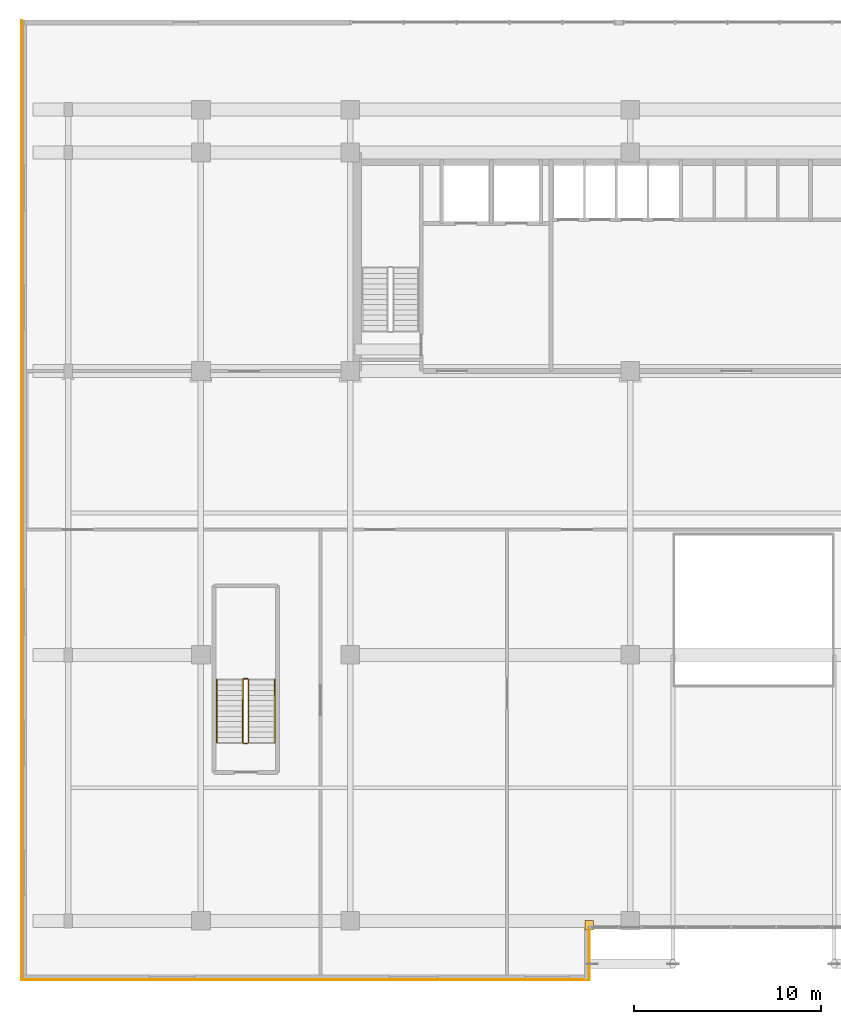
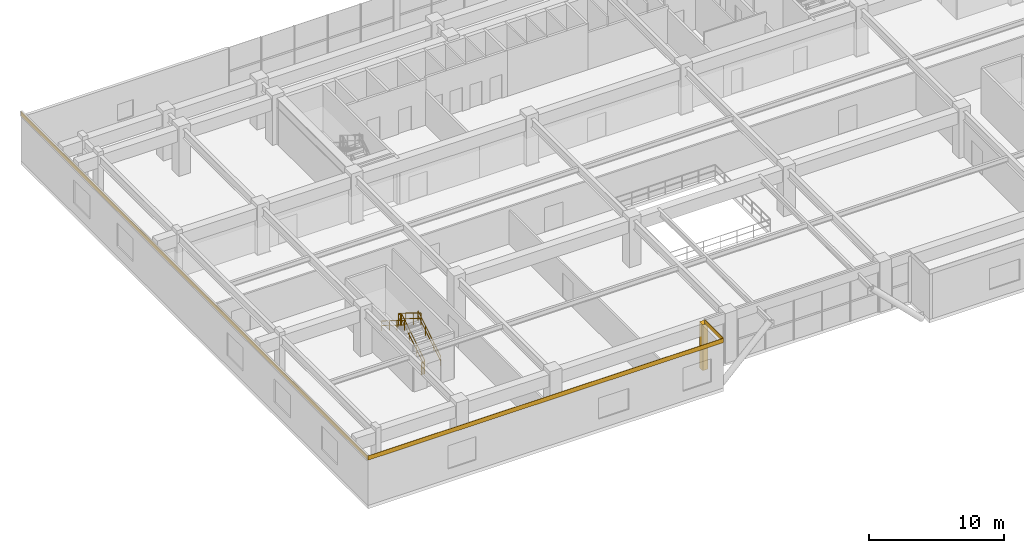
# One storey, part 17 of 21: 6 railings, 4 coverings.
"""IFC4 building model written with IfcOpenShell, lengths in metres."""

from ifc_helpers import new_model, si_unit, direction, frame, origin, origin_2d, place, context, subcontext, project, spatial, rectangle, extrude, source, transform, mapped, material, layer, layer_set, type_object, element, save


model = new_model("IFC4")

# Units and contexts
model_context = context("Model", 3, precision=1e-05, world=origin(), true_north=direction((0.0, 1.0)))
body_context = subcontext(model_context, "Body", "Model", "MODEL_VIEW")
ifc_project = project(units=[si_unit("LENGTHUNIT", "METRE"), si_unit("AREAUNIT", "SQUARE_METRE"), si_unit("VOLUMEUNIT", "CUBIC_METRE"), si_unit("PLANEANGLEUNIT", "RADIAN"), si_unit("MASSUNIT", "GRAM", prefix="KILO")], contexts=[model_context])

# Site, building, storey
site_placement = place(None, origin())
site = spatial("IfcSite", under=ifc_project, at=site_placement, CompositionType="ELEMENT")
building_placement = place(site_placement, origin())
building = spatial("IfcBuilding", under=site, at=building_placement, Name="Trelvane Seafront Commons", CompositionType="ELEMENT")
storey_placement = place(building_placement, frame((0.0, 0.0, 14.199951171875)))
storey = spatial("IfcBuildingStorey", under=building, at=storey_placement, Name="L03", CompositionType="ELEMENT", Elevation=14.199951171875)

# Railings
ifc_material_1 = material(Name="Stainless steel balustrade", Category="steel")
railing_type_1 = type_object("IfcRailingType", Name="ARCH-SRL-GUARD", PredefinedType="GUARDRAIL", material=ifc_material_1)
railing_1_placement = place(storey_placement, frame((10.14990234375, 13.5, 0.173095703125)))
element("IfcRailing", 1, at=railing_1_placement, inside=storey, type_object=railing_type_1, Name="L03 ST-3 stair guard 1", PredefinedType="GUARDRAIL", context=body_context, shape_type="SweptSolid", body=[
    extrude(rectangle(XDim=0.048095703125, YDim=0.048095703125, at=origin_2d()), frame((0.0, 0.0, 1.076171875), z_axis=(0.0, 0.850623216509, 0.525775754039), x_axis=(-1.0, 0.0, 0.0)), (0.0, 0.0, 1.0), 3.9501953125),
    extrude(rectangle(XDim=0.048095703125, YDim=0.048095703125, at=origin_2d()), frame((0.0, 0.0, 0.572021484375), z_axis=(0.0, 0.850623216509, 0.525775754039), x_axis=(-1.0, 0.0, 0.0)), (0.0, 0.0, 1.0), 3.9501953125),
    extrude(rectangle(XDim=0.0419921875, YDim=0.0419921875, at=origin_2d()), origin(), (0.0, 0.0, 1.0), 1.076171875),
    extrude(rectangle(XDim=0.0419921875, YDim=0.0419921875, at=origin_2d()), frame((0.0, 1.1201171875, 0.6923828125)), (0.0, 0.0, 1.0), 1.076171875),
    extrude(rectangle(XDim=0.0419921875, YDim=0.0419921875, at=origin_2d()), frame((0.0, 2.239990234375, 1.384521484375)), (0.0, 0.0, 1.0), 1.076171875),
    extrude(rectangle(XDim=0.0419921875, YDim=0.0419921875, at=origin_2d()), frame((0.0, 3.360107421875, 2.076904296875)), (0.0, 0.0, 1.0), 1.076171875),
])
railing_2_placement = place(storey_placement, frame((10.10009765625, 16.909912109375, 2.25)))
element("IfcRailing", 2, at=railing_2_placement, inside=storey, type_object=railing_type_1, Name="L03 ST-3 stair guard 2", PredefinedType="GUARDRAIL", context=body_context, shape_type="SweptSolid", body=[
    extrude(rectangle(XDim=0.048095703125, YDim=0.048095703125, at=origin_2d()), frame((0.0, 0.0, 1.076171875), z_axis=(-1.0, 0.0, 0.0), x_axis=(0.0, -1.0, 0.0)), (0.0, 0.0, 1.0), 0.2001953125),
    extrude(rectangle(XDim=0.048095703125, YDim=0.048095703125, at=origin_2d()), frame((0.0, 0.0, 0.572021484375), z_axis=(-1.0, 0.0, 0.0), x_axis=(0.0, -1.0, 0.0)), (0.0, 0.0, 1.0), 0.2001953125),
    extrude(rectangle(XDim=0.0419921875, YDim=0.0419921875, at=origin_2d()), origin(), (0.0, 0.0, 1.0), 1.076171875),
    extrude(rectangle(XDim=0.0419921875, YDim=0.0419921875, at=origin_2d()), frame((-0.2001953125, 0.0, 0.0)), (0.0, 0.0, 1.0), 1.076171875),
])
railing_3_placement = place(storey_placement, frame((9.85009765625, 16.860107421875, 2.423095703125)))
element("IfcRailing", 3, at=railing_3_placement, inside=storey, type_object=railing_type_1, Name="L03 ST-3 stair guard 3", PredefinedType="GUARDRAIL", context=body_context, shape_type="SweptSolid", body=[
    extrude(rectangle(XDim=0.048095703125, YDim=0.048095703125, at=origin_2d()), frame((0.0, 0.0, 1.076171875), z_axis=(0.0, -0.850623216509, 0.525775754039), x_axis=(1.0, 0.0, 0.0)), (0.0, 0.0, 1.0), 3.9501953125),
    extrude(rectangle(XDim=0.048095703125, YDim=0.048095703125, at=origin_2d()), frame((0.0, 0.0, 0.572021484375), z_axis=(0.0, -0.850623216509, 0.525775754039), x_axis=(1.0, 0.0, 0.0)), (0.0, 0.0, 1.0), 3.9501953125),
    extrude(rectangle(XDim=0.0419921875, YDim=0.0419921875, at=origin_2d()), origin(), (0.0, 0.0, 1.0), 1.076171875),
    extrude(rectangle(XDim=0.0419921875, YDim=0.0419921875, at=origin_2d()), frame((0.0, -1.1201171875, 0.6923828125)), (0.0, 0.0, 1.0), 1.076171875),
    extrude(rectangle(XDim=0.0419921875, YDim=0.0419921875, at=origin_2d()), frame((0.0, -2.239990234375, 1.384521484375)), (0.0, 0.0, 1.0), 1.076171875),
    extrude(rectangle(XDim=0.0419921875, YDim=0.0419921875, at=origin_2d()), frame((0.0, -3.360107421875, 2.076904296875)), (0.0, 0.0, 1.0), 1.076171875),
])
railing_4_placement = place(storey_placement, frame((10.10009765625, 13.449951171875, 0.0)))
element("IfcRailing", 4, at=railing_4_placement, inside=storey, type_object=railing_type_1, Name="L03 ST-3 stair guard 4", PredefinedType="GUARDRAIL", context=body_context, shape_type="SweptSolid", body=[
    extrude(rectangle(XDim=0.048095703125, YDim=0.048095703125, at=origin_2d()), frame((0.0, 0.0, 1.076171875), z_axis=(-1.0, 0.0, 0.0), x_axis=(0.0, -1.0, 0.0)), (0.0, 0.0, 1.0), 0.2001953125),
    extrude(rectangle(XDim=0.048095703125, YDim=0.048095703125, at=origin_2d()), frame((0.0, 0.0, 0.572021484375), z_axis=(-1.0, 0.0, 0.0), x_axis=(0.0, -1.0, 0.0)), (0.0, 0.0, 1.0), 0.2001953125),
    extrude(rectangle(XDim=0.0419921875, YDim=0.0419921875, at=origin_2d()), origin(), (0.0, 0.0, 1.0), 1.076171875),
    extrude(rectangle(XDim=0.0419921875, YDim=0.0419921875, at=origin_2d()), frame((-0.2001953125, 0.0, 0.0)), (0.0, 0.0, 1.0), 1.076171875),
])
railing_type_2 = type_object("IfcRailingType", Name="ARCH-SRL-HAND", PredefinedType="HANDRAIL", material=ifc_material_1)
railing_5_placement = place(storey_placement, frame((11.550048828125, 13.5, 0.173095703125)))
element("IfcRailing", 5, at=railing_5_placement, inside=storey, type_object=railing_type_2, Name="L03 ST-3 stair handrail 1", PredefinedType="HANDRAIL", context=body_context, shape_type="SweptSolid", body=[
    extrude(rectangle(XDim=0.048095703125, YDim=0.048095703125, at=origin_2d()), frame((0.0, 0.0, 0.8759765625), z_axis=(0.0, 0.850623216509, 0.525775754039), x_axis=(-1.0, 0.0, 0.0)), (0.0, 0.0, 1.0), 3.9501953125),
    extrude(rectangle(XDim=0.048095703125, YDim=0.048095703125, at=origin_2d()), frame((0.0, 0.0, 0.468017578125), z_axis=(0.0, 0.850623216509, 0.525775754039), x_axis=(-1.0, 0.0, 0.0)), (0.0, 0.0, 1.0), 3.9501953125),
    extrude(rectangle(XDim=0.0419921875, YDim=0.0419921875, at=origin_2d()), origin(), (0.0, 0.0, 1.0), 0.8759765625),
    extrude(rectangle(XDim=0.0419921875, YDim=0.0419921875, at=origin_2d()), frame((0.0, 1.1201171875, 0.6923828125)), (0.0, 0.0, 1.0), 0.8759765625),
    extrude(rectangle(XDim=0.0419921875, YDim=0.0419921875, at=origin_2d()), frame((0.0, 2.239990234375, 1.384521484375)), (0.0, 0.0, 1.0), 0.8759765625),
    extrude(rectangle(XDim=0.0419921875, YDim=0.0419921875, at=origin_2d()), frame((0.0, 3.360107421875, 2.076904296875)), (0.0, 0.0, 1.0), 0.8759765625),
])
railing_6_placement = place(storey_placement, frame((8.449951171875, 16.860107421875, 2.423095703125)))
element("IfcRailing", 6, at=railing_6_placement, inside=storey, type_object=railing_type_2, Name="L03 ST-3 stair handrail 2", PredefinedType="HANDRAIL", context=body_context, shape_type="SweptSolid", body=[
    extrude(rectangle(XDim=0.048095703125, YDim=0.048095703125, at=origin_2d()), frame((0.0, 0.0, 0.8759765625), z_axis=(0.0, -0.850623216509, 0.525775754039), x_axis=(1.0, 0.0, 0.0)), (0.0, 0.0, 1.0), 3.9501953125),
    extrude(rectangle(XDim=0.048095703125, YDim=0.048095703125, at=origin_2d()), frame((0.0, 0.0, 0.468017578125), z_axis=(0.0, -0.850623216509, 0.525775754039), x_axis=(1.0, 0.0, 0.0)), (0.0, 0.0, 1.0), 3.9501953125),
    extrude(rectangle(XDim=0.0419921875, YDim=0.0419921875, at=origin_2d()), origin(), (0.0, 0.0, 1.0), 0.8759765625),
    extrude(rectangle(XDim=0.0419921875, YDim=0.0419921875, at=origin_2d()), frame((0.0, -1.1201171875, 0.6923828125)), (0.0, 0.0, 1.0), 0.8759765625),
    extrude(rectangle(XDim=0.0419921875, YDim=0.0419921875, at=origin_2d()), frame((0.0, -2.239990234375, 1.384521484375)), (0.0, 0.0, 1.0), 0.8759765625),
    extrude(rectangle(XDim=0.0419921875, YDim=0.0419921875, at=origin_2d()), frame((0.0, -3.360107421875, 2.076904296875)), (0.0, 0.0, 1.0), 0.8759765625),
])

# Coverings
ifc_material_2 = material(Name="Anodised pale-silver aluminium", Category="aluminium")
ifc_layer = layer(ifc_material_2, 0.034912109375, Name="ARCH-COV-CLAD35")
ifc_layer_set = layer_set([ifc_layer], Name="Anodised pale-silver aluminium")
covering_type = type_object("IfcCoveringType", Name="ARCH-COV-CLAD35", PredefinedType="CLADDING", material=ifc_layer_set)
shared_shape_1 = source(origin(), body_context, "Body", "SweptSolid", [
    extrude(rectangle(XDim=51.39990234375, YDim=0.034912109375, at=origin_2d()), origin(), (0.0, 0.0, 1.0), 0.389892578125),
])
covering_1_placement = place(storey_placement, frame((-2.0, 26.5, 4.10986328125), z_axis=(0.0, 0.0, 1.0), x_axis=(0.0, 1.0, 0.0)))
element("IfcCovering", 7, at=covering_1_placement, inside=storey, type_object=covering_type, Name="CLD-L03-00032", PredefinedType="CLADDING", context=body_context, shape_type="MappedRepresentation", body=[
    mapped(shared_shape_1, transform((0.0, 0.0, 0.0), x_axis=(1.0, 0.0, 0.0), y_axis=(0.0, 1.0, 0.0), z_axis=(0.0, 0.0, 1.0), scale=1.0)),
])
shared_shape_2 = source(origin(), body_context, "Body", "SweptSolid", [
    extrude(rectangle(XDim=30.39990234375, YDim=0.034912109375, at=origin_2d()), origin(), (0.0, 0.0, 1.0), 0.389892578125),
])
covering_2_placement = place(storey_placement, frame((13.199951171875, 0.800048828125, 4.10986328125), z_axis=(0.0, 0.0, 1.0), x_axis=(-1.0, 0.0, 0.0)))
element("IfcCovering", 8, at=covering_2_placement, inside=storey, type_object=covering_type, Name="CLD-L03-00031", PredefinedType="CLADDING", context=body_context, shape_type="MappedRepresentation", body=[
    mapped(shared_shape_2, transform((0.0, 0.0, 0.0), x_axis=(1.0, 0.0, 0.0), y_axis=(0.0, 1.0, 0.0), z_axis=(0.0, 0.0, 1.0), scale=1.0)),
])
shared_shape_3 = source(origin(), body_context, "Body", "SweptSolid", [
    extrude(rectangle(XDim=2.800048828125, YDim=0.034912109375, at=origin_2d()), origin(), (0.0, 0.0, 1.0), 0.389892578125),
])
covering_3_placement = place(storey_placement, frame((28.39990234375, 2.199951171875, 4.10986328125), z_axis=(0.0, 0.0, 1.0), x_axis=(0.0, -1.0, 0.0)))
element("IfcCovering", 9, at=covering_3_placement, inside=storey, type_object=covering_type, Name="CLD-L03-00030", PredefinedType="CLADDING", context=body_context, shape_type="MappedRepresentation", body=[
    mapped(shared_shape_3, transform((0.0, 0.0, 0.0), x_axis=(1.0, 0.0, 0.0), y_axis=(0.0, 1.0, 0.0), z_axis=(0.0, 0.0, 1.0), scale=1.0)),
])
shared_shape_4 = source(origin(), body_context, "Body", "SweptSolid", [
    extrude(rectangle(XDim=0.449951171875, YDim=0.5, at=origin_2d()), origin(), (0.0, 0.0, 1.0), 4.14990234375),
])
covering_4_placement = place(storey_placement, frame((28.39990234375, 3.719970703125, 0.0), z_axis=(0.0, 0.0, 1.0), x_axis=(1.0, 0.0, 0.0)))
element("IfcCovering", 10, at=covering_4_placement, inside=storey, type_object=covering_type, Name="CLD-VPC-L03-00029", PredefinedType="CLADDING", context=body_context, shape_type="MappedRepresentation", body=[
    mapped(shared_shape_4, transform((0.0, 0.0, 0.0), x_axis=(1.0, 0.0, 0.0), y_axis=(0.0, 1.0, 0.0), z_axis=(0.0, 0.0, 1.0), scale=1.0)),
])

save(model, "model.ifc")
